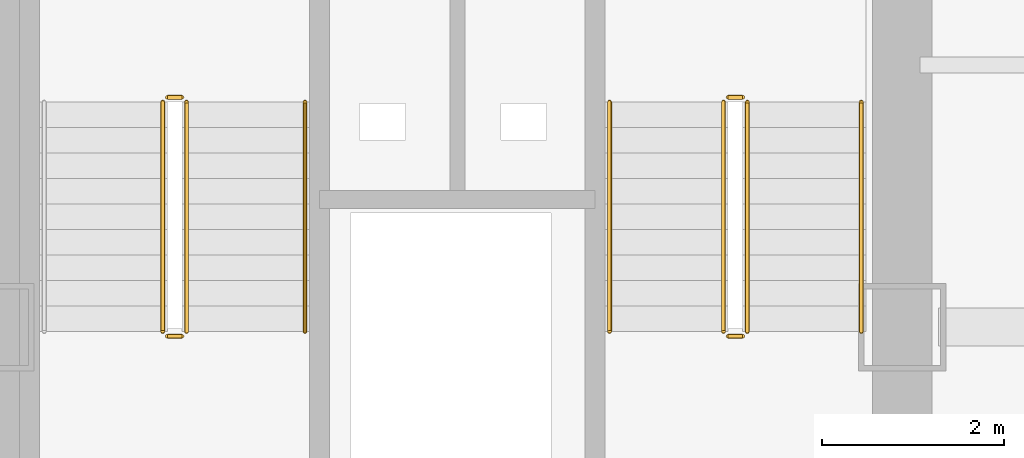
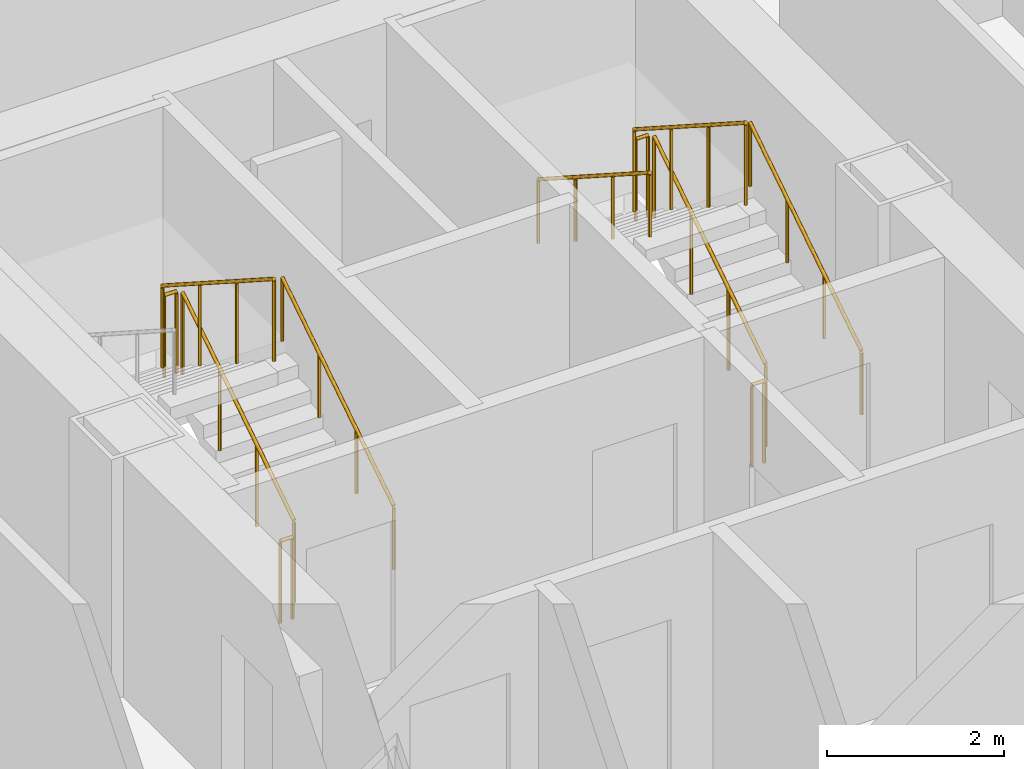
# One storey, part 26 of 27: 11 railings.
"""IFC4 building model written with IfcOpenShell, lengths in metres."""

from ifc_helpers import new_model, si_unit, direction, frame, origin, origin_2d, place, context, subcontext, project, spatial, circle, extrude, material, type_object, element, save


model = new_model("IFC4")

# Units and contexts
model_context = context("Model", 3, precision=1e-05, world=origin(), true_north=direction((0.0, 1.0)))
body_context = subcontext(model_context, "Body", "Model", "MODEL_VIEW")
ifc_project = project(units=[si_unit("LENGTHUNIT", "METRE"), si_unit("AREAUNIT", "SQUARE_METRE"), si_unit("VOLUMEUNIT", "CUBIC_METRE"), si_unit("PLANEANGLEUNIT", "RADIAN"), si_unit("MASSUNIT", "GRAM", prefix="KILO")], contexts=[model_context])

# Site, building, storey
site_placement = place(None, origin())
site = spatial("IfcSite", under=ifc_project, at=site_placement, CompositionType="ELEMENT")
building_placement = place(site_placement, origin())
building = spatial("IfcBuilding", under=site, at=building_placement, Name="Kolveth Station Tower", CompositionType="ELEMENT")
storey_placement = place(building_placement, frame((0.0, 0.0, 22.5)))
storey = spatial("IfcBuildingStorey", under=building, at=storey_placement, Name="L05", CompositionType="ELEMENT", Elevation=22.5)

# Railings
ifc_material_1 = material(Name="Painted Steel S355 balustrade", Category="steel")
railing_type_1 = type_object("IfcRailingType", Name="Guard_GR2", PredefinedType="BALUSTRADE", material=ifc_material_1)
railing_1_placement = place(storey_placement, frame((20.64990234375, 22.949951171875, 0.179931640625)))
element("IfcRailing", 1, at=railing_1_placement, inside=storey, type_object=railing_type_1, Name="L05 ST1 stair guard 1", PredefinedType="BALUSTRADE", context=body_context, shape_type="SweptSolid", body=[
    extrude(circle(Radius=0.02392578125, at=origin_2d()), frame((0.0, 0.0, 1.1259765625), z_axis=(0.0, 0.841162588446, 0.540782303519), x_axis=(-1.0, 0.0, 0.0)), (0.0, 0.0, 1.0), 2.995849609375),
    extrude(circle(Radius=0.02099609375, at=origin_2d()), origin(), (0.0, 0.0, 1.0), 1.101806640625),
    extrude(circle(Radius=0.02099609375, at=origin_2d()), frame((0.0, 0.840087890625, 0.5400390625)), (0.0, 0.0, 1.0), 1.101806640625),
    extrude(circle(Radius=0.02099609375, at=origin_2d()), frame((0.0, 1.679931640625, 1.080078125)), (0.0, 0.0, 1.0), 1.101806640625),
    extrude(circle(Radius=0.02099609375, at=origin_2d()), frame((0.0, 2.52001953125, 1.6201171875)), (0.0, 0.0, 1.0), 1.101806640625),
])
railing_2_placement = place(storey_placement, frame((20.60009765625, 25.52001953125, 1.800048828125)))
element("IfcRailing", 2, at=railing_2_placement, inside=storey, type_object=railing_type_1, Name="L05 ST1 stair guard 2", PredefinedType="BALUSTRADE", context=body_context, shape_type="SweptSolid", body=[
    extrude(circle(Radius=0.02392578125, at=origin_2d()), frame((0.0, 0.0, 1.1259765625), z_axis=(-1.0, 0.0, 0.0), x_axis=(0.0, -1.0, 0.0)), (0.0, 0.0, 1.0), 0.16015625),
    extrude(circle(Radius=0.02099609375, at=origin_2d()), origin(), (0.0, 0.0, 1.0), 1.101806640625),
    extrude(circle(Radius=0.02099609375, at=origin_2d()), frame((-0.16015625, 0.0, 0.0)), (0.0, 0.0, 1.0), 1.101806640625),
])
railing_3_placement = place(storey_placement, frame((20.389892578125, 25.469970703125, 1.97998046875)))
element("IfcRailing", 3, at=railing_3_placement, inside=storey, type_object=railing_type_1, Name="L05 ST1 stair guard 3", PredefinedType="BALUSTRADE", context=body_context, shape_type="SweptSolid", body=[
    extrude(circle(Radius=0.02392578125, at=origin_2d()), frame((0.0, 0.0, 1.1259765625), z_axis=(0.0, -0.841162588446, 0.540782303519), x_axis=(1.0, 0.0, 0.0)), (0.0, 0.0, 1.0), 2.995849609375),
    extrude(circle(Radius=0.02099609375, at=origin_2d()), origin(), (0.0, 0.0, 1.0), 1.101806640625),
    extrude(circle(Radius=0.02099609375, at=origin_2d()), frame((0.0, -0.840087890625, 0.5400390625)), (0.0, 0.0, 1.0), 1.101806640625),
    extrude(circle(Radius=0.02099609375, at=origin_2d()), frame((0.0, -1.679931640625, 1.080078125)), (0.0, 0.0, 1.0), 1.101806640625),
    extrude(circle(Radius=0.02099609375, at=origin_2d()), frame((0.0, -2.52001953125, 1.6201171875)), (0.0, 0.0, 1.0), 1.101806640625),
])
railing_4_placement = place(storey_placement, frame((20.60009765625, 22.89990234375, 0.0)))
element("IfcRailing", 4, at=railing_4_placement, inside=storey, type_object=railing_type_1, Name="L05 ST1 stair guard 4", PredefinedType="BALUSTRADE", context=body_context, shape_type="SweptSolid", body=[
    extrude(circle(Radius=0.02392578125, at=origin_2d()), frame((0.0, 0.0, 1.1259765625), z_axis=(-1.0, 0.0, 0.0), x_axis=(0.0, -1.0, 0.0)), (0.0, 0.0, 1.0), 0.16015625),
    extrude(circle(Radius=0.02099609375, at=origin_2d()), origin(), (0.0, 0.0, 1.0), 1.101806640625),
    extrude(circle(Radius=0.02099609375, at=origin_2d()), frame((-0.16015625, 0.0, 0.0)), (0.0, 0.0, 1.0), 1.101806640625),
])
railing_5_placement = place(storey_placement, frame((26.800048828125, 22.949951171875, 0.179931640625)))
element("IfcRailing", 5, at=railing_5_placement, inside=storey, type_object=railing_type_1, Name="L05 ST2 stair guard 1", PredefinedType="BALUSTRADE", context=body_context, shape_type="SweptSolid", body=[
    extrude(circle(Radius=0.02392578125, at=origin_2d()), frame((0.0, 0.0, 1.1259765625), z_axis=(0.0, 0.841162588446, 0.540782303519), x_axis=(-1.0, 0.0, 0.0)), (0.0, 0.0, 1.0), 2.995849609375),
    extrude(circle(Radius=0.02099609375, at=origin_2d()), origin(), (0.0, 0.0, 1.0), 1.101806640625),
    extrude(circle(Radius=0.02099609375, at=origin_2d()), frame((0.0, 0.840087890625, 0.5400390625)), (0.0, 0.0, 1.0), 1.101806640625),
    extrude(circle(Radius=0.02099609375, at=origin_2d()), frame((0.0, 1.679931640625, 1.080078125)), (0.0, 0.0, 1.0), 1.101806640625),
    extrude(circle(Radius=0.02099609375, at=origin_2d()), frame((0.0, 2.52001953125, 1.6201171875)), (0.0, 0.0, 1.0), 1.101806640625),
])
railing_6_placement = place(storey_placement, frame((26.75, 25.52001953125, 1.800048828125)))
element("IfcRailing", 6, at=railing_6_placement, inside=storey, type_object=railing_type_1, Name="L05 ST2 stair guard 2", PredefinedType="BALUSTRADE", context=body_context, shape_type="SweptSolid", body=[
    extrude(circle(Radius=0.02392578125, at=origin_2d()), frame((0.0, 0.0, 1.1259765625), z_axis=(-1.0, 0.0, 0.0), x_axis=(0.0, -1.0, 0.0)), (0.0, 0.0, 1.0), 0.159912109375),
    extrude(circle(Radius=0.02099609375, at=origin_2d()), origin(), (0.0, 0.0, 1.0), 1.101806640625),
    extrude(circle(Radius=0.02099609375, at=origin_2d()), frame((-0.159912109375, 0.0, 0.0)), (0.0, 0.0, 1.0), 1.101806640625),
])
railing_7_placement = place(storey_placement, frame((26.5400390625, 25.469970703125, 1.97998046875)))
element("IfcRailing", 7, at=railing_7_placement, inside=storey, type_object=railing_type_1, Name="L05 ST2 stair guard 3", PredefinedType="BALUSTRADE", context=body_context, shape_type="SweptSolid", body=[
    extrude(circle(Radius=0.02392578125, at=origin_2d()), frame((0.0, 0.0, 1.1259765625), z_axis=(0.0, -0.841162588446, 0.540782303519), x_axis=(1.0, 0.0, 0.0)), (0.0, 0.0, 1.0), 2.995849609375),
    extrude(circle(Radius=0.02099609375, at=origin_2d()), origin(), (0.0, 0.0, 1.0), 1.101806640625),
    extrude(circle(Radius=0.02099609375, at=origin_2d()), frame((0.0, -0.840087890625, 0.5400390625)), (0.0, 0.0, 1.0), 1.101806640625),
    extrude(circle(Radius=0.02099609375, at=origin_2d()), frame((0.0, -1.679931640625, 1.080078125)), (0.0, 0.0, 1.0), 1.101806640625),
    extrude(circle(Radius=0.02099609375, at=origin_2d()), frame((0.0, -2.52001953125, 1.6201171875)), (0.0, 0.0, 1.0), 1.101806640625),
])
railing_8_placement = place(storey_placement, frame((26.75, 22.89990234375, 0.0)))
element("IfcRailing", 8, at=railing_8_placement, inside=storey, type_object=railing_type_1, Name="L05 ST2 stair guard 4", PredefinedType="BALUSTRADE", context=body_context, shape_type="SweptSolid", body=[
    extrude(circle(Radius=0.02392578125, at=origin_2d()), frame((0.0, 0.0, 1.1259765625), z_axis=(-1.0, 0.0, 0.0), x_axis=(0.0, -1.0, 0.0)), (0.0, 0.0, 1.0), 0.159912109375),
    extrude(circle(Radius=0.02099609375, at=origin_2d()), origin(), (0.0, 0.0, 1.0), 1.101806640625),
    extrude(circle(Radius=0.02099609375, at=origin_2d()), frame((-0.159912109375, 0.0, 0.0)), (0.0, 0.0, 1.0), 1.101806640625),
])
ifc_material_2 = material(Name="Brushed stainless steel", Category="steel")
railing_type_2 = type_object("IfcRailingType", Name="Handrail_HR1", PredefinedType="HANDRAIL", material=ifc_material_2)
for number, where, name in (
    (9, (21.949951171875, 22.949951171875, 0.179931640625), "L05 ST1 stair handrail 1"),
    (10, (28.050048828125, 22.949951171875, 0.179931640625), "L05 ST2 stair handrail 1"),
):
    element("IfcRailing", number, at=place(storey_placement, frame(where)), inside=storey, type_object=railing_type_2, Name=name, PredefinedType="HANDRAIL", context=body_context, shape_type="SweptSolid", body=[
        extrude(circle(Radius=0.02392578125, at=origin_2d()), frame((0.0, 0.0, 0.8759765625), z_axis=(0.0, 0.841162588446, 0.540782303519), x_axis=(-1.0, 0.0, 0.0)), (0.0, 0.0, 1.0), 2.995849609375),
        extrude(circle(Radius=0.02099609375, at=origin_2d()), origin(), (0.0, 0.0, 1.0), 0.851806640625),
        extrude(circle(Radius=0.02099609375, at=origin_2d()), frame((0.0, 0.840087890625, 0.5400390625)), (0.0, 0.0, 1.0), 0.851806640625),
        extrude(circle(Radius=0.02099609375, at=origin_2d()), frame((0.0, 1.679931640625, 1.080078125)), (0.0, 0.0, 1.0), 0.851806640625),
        extrude(circle(Radius=0.02099609375, at=origin_2d()), frame((0.0, 2.52001953125, 1.6201171875)), (0.0, 0.0, 1.0), 0.851806640625),
    ])
railing_9_placement = place(storey_placement, frame((25.2900390625, 25.469970703125, 1.97998046875)))
element("IfcRailing", 11, at=railing_9_placement, inside=storey, type_object=railing_type_2, Name="L05 ST2 stair handrail 2", PredefinedType="HANDRAIL", context=body_context, shape_type="SweptSolid", body=[
    extrude(circle(Radius=0.02392578125, at=origin_2d()), frame((0.0, 0.0, 0.8759765625), z_axis=(0.0, -0.841162588446, 0.540782303519), x_axis=(1.0, 0.0, 0.0)), (0.0, 0.0, 1.0), 2.995849609375),
    extrude(circle(Radius=0.02099609375, at=origin_2d()), origin(), (0.0, 0.0, 1.0), 0.851806640625),
    extrude(circle(Radius=0.02099609375, at=origin_2d()), frame((0.0, -0.840087890625, 0.5400390625)), (0.0, 0.0, 1.0), 0.851806640625),
    extrude(circle(Radius=0.02099609375, at=origin_2d()), frame((0.0, -1.679931640625, 1.080078125)), (0.0, 0.0, 1.0), 0.851806640625),
    extrude(circle(Radius=0.02099609375, at=origin_2d()), frame((0.0, -2.52001953125, 1.6201171875)), (0.0, 0.0, 1.0), 0.851806640625),
])

save(model, "model.ifc")
